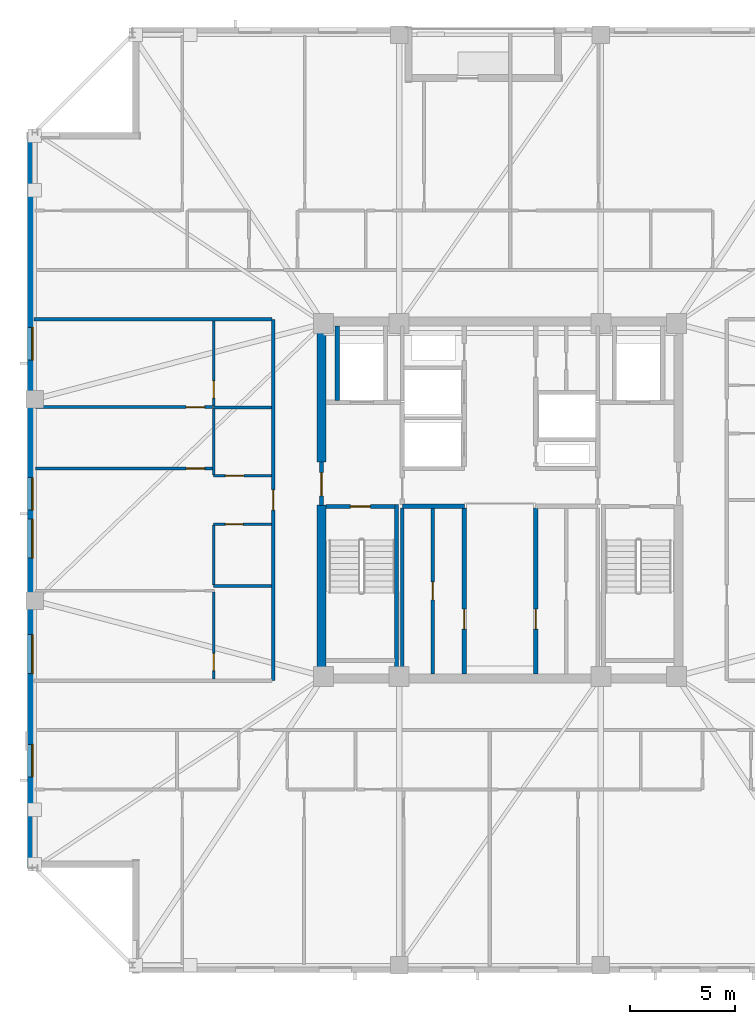
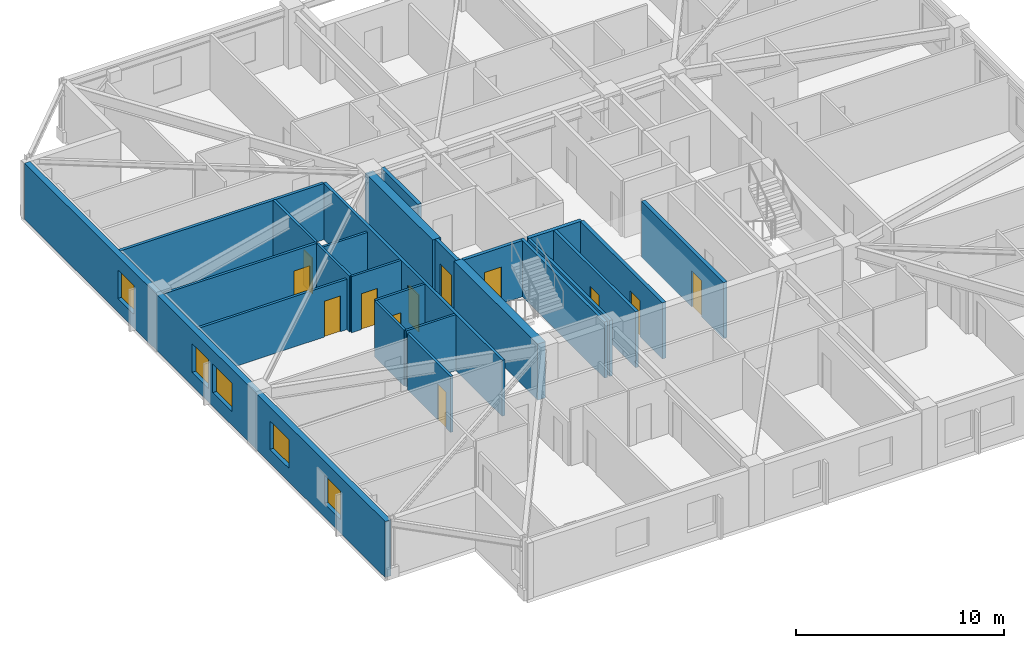
# One storey, part 8 of 17: 24 walls, 12 doors, 5 windows, 17 openings.
"""IFC4 building model written with IfcOpenShell, lengths in metres."""

import ifcopenshell
import ifcopenshell.guid

model = None  # the IFC model being written
_history = None  # IfcOwnerHistory: only IFC2X3 demands one
_inside = {}  # id of a spatial element -> (the spatial element, [elements in it])
_under = {}  # id of a project, library or spatial element -> (it, [spatial elements below it])
_declared = {}  # id of a project -> (the project, [libraries it declares])
_typed = {}  # id of a type object -> (the type object, [elements of that type])
_made_of = {}  # id of a material, layer set ... -> (it, [elements and type objects made of it])


def new_model(schema):
    """Start an empty IFC model of exactly this schema.

    Asked for "IFC4X3", IfcOpenShell would pick the latest addendum, in which some entities
    have other attributes; the version numbers below select the first issue.
    IFC2X3 requires an IfcOwnerHistory on every rooted entity: one is made here for all.
    """
    global model, _history
    if schema == "IFC4X3":
        model = ifcopenshell.file(schema_version=(4, 3, 0, 0))
    else:
        model = ifcopenshell.file(schema=schema)
    _inside.clear()
    _under.clear()
    _declared.clear()
    _typed.clear()
    _made_of.clear()
    _history = None
    if model.schema == "IFC2X3":
        org = make("IfcOrganization", Name="unknown")
        user = make(
            "IfcPersonAndOrganization",
            ThePerson=make("IfcPerson", FamilyName="unknown"),
            TheOrganization=org,
        )
        app = make(
            "IfcApplication",
            ApplicationDeveloper=org,
            Version="unknown",
            ApplicationFullName="unknown",
            ApplicationIdentifier="unknown",
        )
        _history = make(
            "IfcOwnerHistory",
            OwningUser=user,
            OwningApplication=app,
            ChangeAction="ADDED",
            CreationDate=0,
        )
    return model


def make(cls, **values):
    """One entity of the class cls with the attributes given. An attribute that is None is left unset."""
    return model.create_entity(
        cls, **{name: value for name, value in values.items() if value is not None}
    )


def rooted(cls, **values):
    """An entity with a GlobalId (a new one), such as an element, a storey or a relation."""
    return make(cls, GlobalId=ifcopenshell.guid.new(), OwnerHistory=_history, **values)


def si_unit(unit_type, name, prefix=None):
    """IfcSIUnit, for example si_unit("LENGTHUNIT", "METRE", prefix="MILLI")."""
    return make("IfcSIUnit", UnitType=unit_type, Prefix=prefix, Name=name)


def assignment(units):
    """IfcUnitAssignment: the units of a project."""
    return None if units is None else make("IfcUnitAssignment", Units=units)


def point(xyz):
    """IfcCartesianPoint."""
    return None if xyz is None else make("IfcCartesianPoint", Coordinates=xyz)


def direction(xyz):
    """IfcDirection."""
    return None if xyz is None else make("IfcDirection", DirectionRatios=xyz)


def frame(location, z_axis=None, x_axis=None):
    """IfcAxis2Placement3D, a coordinate frame: its origin and axes. An axis left out is left unset."""
    return make(
        "IfcAxis2Placement3D",
        Location=point(location),
        Axis=direction(z_axis),
        RefDirection=direction(x_axis),
    )


def frame_2d(location, x_axis=None):
    """IfcAxis2Placement2D, a coordinate frame in the plane: its origin and x axis."""
    return make(
        "IfcAxis2Placement2D", Location=point(location), RefDirection=direction(x_axis)
    )


def origin():
    """The frame at (0, 0, 0) with its axes left unset."""
    return frame((0.0, 0.0, 0.0))


def place(relative_to, where):
    """IfcLocalPlacement: puts the frame where relative to a parent placement (None: the world)."""
    return make(
        "IfcLocalPlacement", PlacementRelTo=relative_to, RelativePlacement=where
    )


def context(
    kind, dimensions, precision=None, world=None, true_north=None, identifier=None
):
    """IfcGeometricRepresentationContext, for example the 3D "Model" context."""
    return make(
        "IfcGeometricRepresentationContext",
        ContextIdentifier=identifier,
        ContextType=kind,
        CoordinateSpaceDimension=dimensions,
        Precision=precision,
        WorldCoordinateSystem=world,
        TrueNorth=true_north,
    )


def subcontext(parent, identifier, kind, view, scale=None):
    """IfcGeometricRepresentationSubContext, for example "Body" below "Model"."""
    return make(
        "IfcGeometricRepresentationSubContext",
        ContextIdentifier=identifier,
        ContextType=kind,
        ParentContext=parent,
        TargetScale=scale,
        TargetView=view,
    )


def project(units=None, contexts=None):
    """IfcProject with its units and contexts."""
    return rooted(
        "IfcProject",
        Name="project",
        RepresentationContexts=contexts,
        UnitsInContext=assignment(units),
    )


def spatial(cls, under=None, at=None, **own):
    """A site, building, storey or space (cls), placed at a placement, below another one or the project."""
    s = rooted(cls, ObjectPlacement=at, **own)
    if under is not None:
        _under.setdefault(under.id(), (under, []))[1].append(s)
    return s


def profile(cls, at=None, kind="AREA", **sizes):
    """A parametric profile (cls). Its sizes go by their IFC names, for example OverallWidth=200.0."""
    return make(cls, ProfileType=kind, Position=at, **sizes)


def rectangle(**sizes):
    """IfcRectangleProfileDef."""
    return profile("IfcRectangleProfileDef", **sizes)


def extrude(swept, where, along, depth):
    """IfcExtrudedAreaSolid: the profile swept, set in the frame where, extruded along a direction by depth."""
    return make(
        "IfcExtrudedAreaSolid",
        SweptArea=swept,
        Position=where,
        ExtrudedDirection=direction(along),
        Depth=depth,
    )


def shape(context_of_items, identifier, shape_type, items):
    """IfcShapeRepresentation: the items that make up one representation, for example the "Body"."""
    return make(
        "IfcShapeRepresentation",
        ContextOfItems=context_of_items,
        RepresentationIdentifier=identifier,
        RepresentationType=shape_type,
        Items=items,
    )


def material(Name=None, Category=None):
    """IfcMaterial."""
    return make("IfcMaterial", Name=Name, Category=Category)


def layer(
    of_material, thickness, ventilated=None, Name=None, Category=None, Priority=None
):
    """IfcMaterialLayer: one layer of a wall or slab, of a material (None: an air gap)."""
    return make(
        "IfcMaterialLayer",
        Material=of_material,
        LayerThickness=thickness,
        IsVentilated=ventilated,
        Name=Name,
        Category=Category,
        Priority=Priority,
    )


def layer_set(layers, Name=None):
    """IfcMaterialLayerSet."""
    return make("IfcMaterialLayerSet", MaterialLayers=layers, LayerSetName=Name)


def made_of(thing, what):
    """Note that an element or type object is made of a material, layer set ...; save() writes the relation."""
    if what is not None:
        _made_of.setdefault(what.id(), (what, []))[1].append(thing)
    return thing


def type_object(cls, material=None, **own):
    """A type object (cls), such as IfcWallType, which elements share."""
    return made_of(rooted(cls, **own), material)


def element(
    cls,
    number,
    at=None,
    inside=None,
    cuts=None,
    type_object=None,
    material=None,
    context=None,
    identifier="Body",
    shape_type=None,
    held_by="IfcProductDefinitionShape",
    body=None,
    shapes=None,
    **own,
):
    """One element of the class cls, such as IfcWall. Its Tag is "e" and its number.

    at: its placement. inside: the storey or other place that contains it. cuts: it is an
    opening in that element (IfcRelVoidsElement). A single representation is given by context,
    identifier, shape_type and body (its items); several are given by shapes. held_by: the class
    of the entity that holds the representations. save() writes the other relations.
    """
    e = rooted(cls, Tag="e%d" % number, ObjectPlacement=at, **own)
    if body is not None:
        shapes = [shape(context, identifier, shape_type, body)]
    if shapes is not None:
        e.Representation = make(held_by, Representations=shapes)
    if inside is not None:
        _inside.setdefault(inside.id(), (inside, []))[1].append(e)
    if cuts is not None:
        rooted(
            "IfcRelVoidsElement", RelatingBuildingElement=cuts, RelatedOpeningElement=e
        )
    if type_object is not None:
        _typed.setdefault(type_object.id(), (type_object, []))[1].append(e)
    return made_of(e, material)


def fill(opening, filler):
    """IfcRelFillsElement: the door or window that sits in an opening."""
    return rooted(
        "IfcRelFillsElement",
        RelatingOpeningElement=opening,
        RelatedBuildingElement=filler,
    )


def aggregate(whole, parts):
    """IfcRelAggregates: a whole, such as a stair, and the parts it consists of."""
    return rooted("IfcRelAggregates", RelatingObject=whole, RelatedObjects=parts)


def save(model, path):
    """Write the relations noted so far, then the file.

    IfcRelAggregates (storeys below a building ...), IfcRelContainedInSpatialStructure (elements
    in a storey), IfcRelDefinesByType, IfcRelAssociatesMaterial and IfcRelDeclares: one each for
    every whole, place, type object, material and project.
    """
    for whole, parts in _under.values():
        aggregate(whole, parts)
    for where, things in _inside.values():
        rooted(
            "IfcRelContainedInSpatialStructure",
            RelatedElements=things,
            RelatingStructure=where,
        )
    for kind, things in _typed.values():
        rooted("IfcRelDefinesByType", RelatedObjects=things, RelatingType=kind)
    for what, things in _made_of.values():
        rooted("IfcRelAssociatesMaterial", RelatedObjects=things, RelatingMaterial=what)
    for by, libraries in _declared.values():
        rooted("IfcRelDeclares", RelatingContext=by, RelatedDefinitions=libraries)
    model.write(path)


model = new_model("IFC4")

# Units and contexts
model_context = context("Model", 3, precision=1e-05, world=origin(), true_north=direction((0.0, 1.0)))
body_context = subcontext(model_context, "Body", "Model", "MODEL_VIEW")
ifc_project = project(units=[si_unit("LENGTHUNIT", "METRE"), si_unit("AREAUNIT", "SQUARE_METRE"), si_unit("VOLUMEUNIT", "CUBIC_METRE"), si_unit("PLANEANGLEUNIT", "RADIAN"), si_unit("MASSUNIT", "GRAM", prefix="KILO")], contexts=[model_context])

# Site, building, storey
site_placement = place(None, origin())
site = spatial("IfcSite", under=ifc_project, at=site_placement, CompositionType="ELEMENT")
building_placement = place(site_placement, origin())
building = spatial("IfcBuilding", under=site, at=building_placement, Name="Cairnveth Concourse Tower", CompositionType="ELEMENT")
storey_placement = place(building_placement, frame((0.0, 0.0, 206.0)))
storey = spatial("IfcBuildingStorey", under=building, at=storey_placement, Name="L56", CompositionType="ELEMENT", Elevation=206.0)

# Wall
ifc_material_1 = material(Name="Gypsum Plasterboard Partition", Category="gypsum")
ifc_layer_1 = layer(ifc_material_1, 0.159912109375)
ifc_layer_set_1 = layer_set([ifc_layer_1], Name="Gypsum Plasterboard Partition")
wall_type_1 = type_object("IfcWallType", Name="ACOUSTIC PARTY WALL 180", PredefinedType="PARTITIONING", material=ifc_layer_set_1)
wall_1_placement = place(storey_placement, frame((47.35009765625, 30.7099609375, 0.0), z_axis=(0.0, 0.0, 1.0), x_axis=(0.0, 1.0, 0.0)))
element("IfcWall", 1, at=wall_1_placement, inside=storey, type_object=wall_type_1, Name="Interior Wall IW-L56-025", PredefinedType="PARTITIONING", context=body_context, shape_type="SweptSolid", body=[
    extrude(rectangle(XDim=7.905029296875, YDim=0.159912109375, at=frame_2d((3.95263671875, 0.0))), origin(), (0.0, 0.0, 1.0), 3.2900390625),
])

# Wall, opening, door
wall_2_placement = place(storey_placement, frame((48.800048828125, 30.7099609375, 0.0), z_axis=(0.0, 0.0, 1.0), x_axis=(0.0, 1.0, 0.0)))
wall_2 = element("IfcWall", 2, at=wall_2_placement, inside=storey, type_object=wall_type_1, Name="Interior Wall IW-L56-026", PredefinedType="PARTITIONING", context=body_context, shape_type="SweptSolid", body=[
    extrude(rectangle(XDim=7.905029296875, YDim=0.159912109375, at=frame_2d((3.95263671875, 0.0))), origin(), (0.0, 0.0, 1.0), 3.2900390625),
])
opening_1_placement = place(wall_2_placement, frame((3.5400390625, 0.0, 0.0)))
opening_1 = element("IfcOpeningElement", 3, at=opening_1_placement, cuts=wall_2, Name="Opening ID19", PredefinedType="OPENING", context=body_context, shape_type="SweptSolid", body=[
    extrude(rectangle(XDim=0.85009765625, YDim=2.1201171875, at=frame_2d((0.425048828125, 1.06005859375))), frame((0.0, 0.08984375, 0.0), z_axis=(0.0, -1.0, 0.0), x_axis=(1.0, 0.0, 0.0)), (0.0, 0.0, 1.0), 0.179931640625),
])
ifc_material_2 = material(Name="Steel Grade 350", Category="steel")
door_type_1 = type_object("IfcDoorType", Name="CORE SERVICE DOOR 850X2100", OperationType="NOTDEFINED", PredefinedType="DOOR", material=ifc_material_2)
door_1_placement = place(opening_1_placement, origin())
door_1 = element("IfcDoor", 4, at=door_1_placement, inside=storey, type_object=door_type_1, Name="Inner Store Door L56", OperationType="SINGLE_SWING_RIGHT", OverallHeight=2.1201171875, OverallWidth=0.85009765625, PredefinedType="DOOR", context=body_context, shape_type="SweptSolid", body=[
    extrude(rectangle(XDim=0.85009765625, YDim=2.1201171875, at=frame_2d((0.425048828125, 1.06005859375))), frame((0.0, 0.02490234375, 0.0), z_axis=(0.0, -1.0, 0.0), x_axis=(1.0, 0.0, 0.0)), (0.0, 0.0, 1.0), 0.050048828125),
])
fill(opening_1, door_1)

wall_3_placement = place(storey_placement, frame((41.199951171875, 30.39990234375, 0.0), z_axis=(0.0, 0.0, 1.0), x_axis=(0.0, 1.0, 0.0)))
wall_3 = element("IfcWall", 5, at=wall_3_placement, inside=storey, type_object=wall_type_1, Name="Interior Wall IW-L56-038", PredefinedType="PARTITIONING", context=body_context, shape_type="SweptSolid", body=[
    extrude(rectangle(XDim=17.2001953125, YDim=0.159912109375, at=frame_2d((8.60009765625, 0.0))), origin(), (0.0, 0.0, 1.0), 3.2900390625),
])
opening_2_placement = place(wall_3_placement, frame((8.1201171875, 0.0, 0.0)))
opening_2 = element("IfcOpeningElement", 6, at=opening_2_placement, cuts=wall_3, Name="Opening ID10", PredefinedType="OPENING", context=body_context, shape_type="SweptSolid", body=[
    extrude(rectangle(XDim=0.9599609375, YDim=2.179931640625, at=frame_2d((0.47998046875, 1.08984375))), frame((0.0, 0.08984375, 0.0), z_axis=(0.0, -1.0, 0.0), x_axis=(1.0, 0.0, 0.0)), (0.0, 0.0, 1.0), 0.179931640625),
])
ifc_material_3 = material(Name="Solid Core Hardwood Timber Leaf", Category="wood")
door_type_2 = type_object("IfcDoorType", Name="FLAT ENTRANCE DOOR 960X2150", OperationType="NOTDEFINED", PredefinedType="DOOR", material=ifc_material_3)
door_2_placement = place(opening_2_placement, origin())
door_2 = element("IfcDoor", 7, at=door_2_placement, inside=storey, type_object=door_type_2, Name="Apartment L56W1 Entrance Door", OperationType="SINGLE_SWING_RIGHT", OverallHeight=2.179931640625, OverallWidth=0.9599609375, PredefinedType="DOOR", context=body_context, shape_type="SweptSolid", body=[
    extrude(rectangle(XDim=0.9599609375, YDim=2.179931640625, at=frame_2d((0.47998046875, 1.08984375))), frame((0.0, 0.02490234375, 0.0), z_axis=(0.0, -1.0, 0.0), x_axis=(1.0, 0.0, 0.0)), (0.0, 0.0, 1.0), 0.050048828125),
])
fill(opening_2, door_2)

# Walls
wall_4_placement = place(storey_placement, frame((29.804931640625, 47.60009765625, 0.0), z_axis=(0.0, 0.0, 1.0), x_axis=(1.0, 0.0, 0.0)))
element("IfcWall", 8, at=wall_4_placement, inside=storey, type_object=wall_type_1, Name="Interior Wall IW-L56-041", PredefinedType="PARTITIONING", context=body_context, shape_type="SweptSolid", body=[
    extrude(rectangle(XDim=11.330078125, YDim=0.159912109375, at=frame_2d((5.6650390625, 0.0))), origin(), (0.0, 0.0, 1.0), 3.2900390625),
])
ifc_material_4 = material(Name="Concrete N65 (65 MPa)", Category="concrete")
ifc_layer_2 = layer(ifc_material_4, 0.449951171875)
ifc_layer_set_2 = layer_set([ifc_layer_2], Name="Concrete N65 (65 MPa)")
wall_type_2 = type_object("IfcWallType", Name="CORE SHEAR WALL 450", PredefinedType="SHEAR", material=ifc_layer_set_2)
wall_5_placement = place(storey_placement, frame((43.5, 30.715087890625, 0.0), z_axis=(0.0, 0.0, 1.0), x_axis=(0.0, 1.0, 0.0)))
element("IfcWall", 9, at=wall_5_placement, inside=storey, type_object=wall_type_2, Name="Core West Shear Wall S L56", PredefinedType="SHEAR", context=body_context, shape_type="SweptSolid", body=[
    extrude(rectangle(XDim=8.034912109375, YDim=0.449951171875, at=frame_2d((4.017578125, 0.0))), origin(), (0.0, 0.0, 1.0), 3.2900390625),
])
wall_6_placement = place(storey_placement, frame((43.5, 40.800048828125, 0.0), z_axis=(0.0, 0.0, 1.0), x_axis=(0.0, 1.0, 0.0)))
element("IfcWall", 10, at=wall_6_placement, inside=storey, type_object=wall_type_2, Name="Core West Shear Wall N L56", PredefinedType="SHEAR", context=body_context, shape_type="SweptSolid", body=[
    extrude(rectangle(XDim=6.48486328125, YDim=0.449951171875, at=frame_2d((3.242431640625, 0.0))), origin(), (0.0, 0.0, 1.0), 3.2900390625),
])

# Wall, opening, door
ifc_material_5 = material(Name="Concrete N50 (50 MPa)", Category="concrete")
ifc_layer_3 = layer(ifc_material_5, 0.179931640625)
ifc_layer_set_3 = layer_set([ifc_layer_3], Name="Concrete N50 (50 MPa)")
wall_type_3 = type_object("IfcWallType", Name="FIRE SHAFT WALL 180", PredefinedType="SOLIDWALL", material=ifc_layer_set_3)
wall_7_placement = place(storey_placement, frame((43.715087890625, 38.68994140625, 0.0), z_axis=(0.0, 0.0, 1.0), x_axis=(1.0, 0.0, 0.0)))
wall_7 = element("IfcWall", 11, at=wall_7_placement, inside=storey, type_object=wall_type_3, Name="Stair ST-1 Shaft Wall NEAR L56", PredefinedType="SOLIDWALL", context=body_context, shape_type="SweptSolid", body=[
    extrude(rectangle(XDim=3.280029296875, YDim=0.179931640625, at=frame_2d((1.64013671875, 0.0))), origin(), (0.0, 0.0, 1.0), 3.2900390625),
])
opening_3_placement = place(wall_7_placement, frame((1.1650390625, 0.0, 0.0)))
opening_3 = element("IfcOpeningElement", 12, at=opening_3_placement, cuts=wall_7, Name="Opening ID12", PredefinedType="OPENING", context=body_context, shape_type="SweptSolid", body=[
    extrude(rectangle(XDim=0.949951171875, YDim=2.14990234375, at=frame_2d((0.47509765625, 1.074951171875))), frame((0.0, 0.099853515625, 0.0), z_axis=(0.0, -1.0, 0.0), x_axis=(1.0, 0.0, 0.0)), (0.0, 0.0, 1.0), 0.199951171875),
])
door_type_3 = type_object("IfcDoorType", Name="FIRE STAIR DOOR 950X2150", OperationType="NOTDEFINED", PredefinedType="DOOR", material=ifc_material_2)
door_3_placement = place(opening_3_placement, origin())
door_3 = element("IfcDoor", 13, at=door_3_placement, inside=storey, type_object=door_type_3, Name="Stair ST-1 Fire Door L56", OperationType="SINGLE_SWING_LEFT", OverallHeight=2.14990234375, OverallWidth=0.949951171875, PredefinedType="DOOR", context=body_context, shape_type="SweptSolid", body=[
    extrude(rectangle(XDim=0.949951171875, YDim=2.14990234375, at=frame_2d((0.47509765625, 1.074951171875))), frame((0.0, 0.02490234375, 0.0), z_axis=(0.0, -1.0, 0.0), x_axis=(1.0, 0.0, 0.0)), (0.0, 0.0, 1.0), 0.050048828125),
])
fill(opening_3, door_3)

# Walls
wall_8_placement = place(storey_placement, frame((47.070068359375, 38.780029296875, 0.0), z_axis=(0.0, 0.0, 1.0), x_axis=(0.0, -1.0, 0.0)))
element("IfcWall", 14, at=wall_8_placement, inside=storey, type_object=wall_type_3, Name="Stair ST-1 Shaft Wall RGHT L56", PredefinedType="SOLIDWALL", context=body_context, shape_type="SweptSolid", body=[
    extrude(rectangle(XDim=8.067138671875, YDim=0.179931640625, at=frame_2d((4.03369140625, 0.0))), origin(), (0.0, 0.0, 1.0), 3.2900390625),
])
ifc_layer_4 = layer(ifc_material_5, 0.199951171875)
ifc_layer_set_4 = layer_set([ifc_layer_4], Name="Concrete N50 (50 MPa)")
wall_type_4 = type_object("IfcWallType", Name="FIRE SHAFT WALL 200", PredefinedType="SOLIDWALL", material=ifc_layer_set_4)
wall_9_placement = place(storey_placement, frame((47.35009765625, 38.699951171875, 0.0), z_axis=(0.0, 0.0, 1.0), x_axis=(1.0, 0.0, 0.0)))
element("IfcWall", 15, at=wall_9_placement, inside=storey, type_object=wall_type_4, Name="Interior Wall IW-L56-007", PredefinedType="SOLIDWALL", context=body_context, shape_type="SweptSolid", body=[
    extrude(rectangle(XDim=2.949951171875, YDim=0.199951171875, at=frame_2d((1.47509765625, 0.0))), origin(), (0.0, 0.0, 1.0), 3.2900390625),
])

# Wall, opening, door
wall_10_placement = place(storey_placement, frame((50.300048828125, 30.7099609375, 0.0), z_axis=(0.0, 0.0, 1.0), x_axis=(0.0, 1.0, 0.0)))
wall_10 = element("IfcWall", 16, at=wall_10_placement, inside=storey, type_object=wall_type_4, Name="Interior Wall IW-L56-011", PredefinedType="SOLIDWALL", context=body_context, shape_type="SweptSolid", body=[
    extrude(rectangle(XDim=7.905029296875, YDim=0.199951171875, at=frame_2d((3.95263671875, 0.0))), origin(), (0.0, 0.0, 1.0), 3.2900390625),
])
opening_4_placement = place(wall_10_placement, frame((2.139892578125, 0.0, 0.0)))
opening_4 = element("IfcOpeningElement", 17, at=opening_4_placement, cuts=wall_10, Name="Opening ID25", PredefinedType="OPENING", context=body_context, shape_type="SweptSolid", body=[
    extrude(rectangle(XDim=0.949951171875, YDim=2.1201171875, at=frame_2d((0.47509765625, 1.06005859375))), frame((0.0, 0.10986328125, 0.0), z_axis=(0.0, -1.0, 0.0), x_axis=(1.0, 0.0, 0.0)), (0.0, 0.0, 1.0), 0.219970703125),
])
door_type_4 = type_object("IfcDoorType", Name="CORE ACCESSIBLE FIRE DOOR 950X2120", OperationType="NOTDEFINED", PredefinedType="DOOR", material=ifc_material_2)
door_4_placement = place(opening_4_placement, origin())
door_4 = element("IfcDoor", 18, at=door_4_placement, inside=storey, type_object=door_type_4, Name="Accessible WC Suite Door L56", OperationType="SINGLE_SWING_LEFT", OverallHeight=2.1201171875, OverallWidth=0.949951171875, PredefinedType="DOOR", context=body_context, shape_type="SweptSolid", body=[
    extrude(rectangle(XDim=0.949951171875, YDim=2.1201171875, at=frame_2d((0.47509765625, 1.06005859375))), frame((0.0, 0.02490234375, 0.0), z_axis=(0.0, -1.0, 0.0), x_axis=(1.0, 0.0, 0.0)), (0.0, 0.0, 1.0), 0.050048828125),
])
fill(opening_4, door_4)

wall_11_placement = place(storey_placement, frame((53.699951171875, 30.7099609375, 0.0), z_axis=(0.0, 0.0, 1.0), x_axis=(0.0, 1.0, 0.0)))
wall_11 = element("IfcWall", 19, at=wall_11_placement, inside=storey, type_object=wall_type_4, Name="Interior Wall IW-L56-012", PredefinedType="SOLIDWALL", context=body_context, shape_type="SweptSolid", body=[
    extrude(rectangle(XDim=7.905029296875, YDim=0.199951171875, at=frame_2d((3.95263671875, 0.0))), origin(), (0.0, 0.0, 1.0), 3.2900390625),
])
opening_5_placement = place(wall_11_placement, frame((2.139892578125, 0.0, 0.0)))
opening_5 = element("IfcOpeningElement", 20, at=opening_5_placement, cuts=wall_11, Name="Opening ID25", PredefinedType="OPENING", context=body_context, shape_type="SweptSolid", body=[
    extrude(rectangle(XDim=0.949951171875, YDim=2.1201171875, at=frame_2d((0.47509765625, 1.06005859375))), frame((0.0, 0.10986328125, 0.0), z_axis=(0.0, -1.0, 0.0), x_axis=(1.0, 0.0, 0.0)), (0.0, 0.0, 1.0), 0.219970703125),
])
door_5_placement = place(opening_5_placement, origin())
door_5 = element("IfcDoor", 21, at=door_5_placement, inside=storey, type_object=door_type_4, Name="Sky Restroom Door L56", OperationType="SINGLE_SWING_LEFT", OverallHeight=2.1201171875, OverallWidth=0.949951171875, PredefinedType="DOOR", context=body_context, shape_type="SweptSolid", body=[
    extrude(rectangle(XDim=0.949951171875, YDim=2.1201171875, at=frame_2d((0.47509765625, 1.06005859375))), frame((0.0, 0.02490234375, 0.0), z_axis=(0.0, -1.0, 0.0), x_axis=(1.0, 0.0, 0.0)), (0.0, 0.0, 1.0), 0.050048828125),
])
fill(opening_5, door_5)

wall_12_placement = place(storey_placement, frame((43.5, 38.75, 0.0), z_axis=(0.0, 0.0, 1.0), x_axis=(0.0, 1.0, 0.0)))
wall_12 = element("IfcWall", 22, at=wall_12_placement, inside=storey, type_object=wall_type_4, Name="Interior Wall IW-L56-015", PredefinedType="SOLIDWALL", context=body_context, shape_type="SweptSolid", body=[
    extrude(rectangle(XDim=2.050048828125, YDim=0.199951171875, at=frame_2d((1.02490234375, 0.0))), origin(), (0.0, 0.0, 1.0), 3.2900390625),
])
opening_6_placement = place(wall_12_placement, frame((0.449951171875, 0.0, 0.0)))
opening_6 = element("IfcOpeningElement", 23, at=opening_6_placement, cuts=wall_12, Name="Opening ID06", PredefinedType="OPENING", context=body_context, shape_type="SweptSolid", body=[
    extrude(rectangle(XDim=1.10009765625, YDim=2.14990234375, at=frame_2d((0.550048828125, 1.074951171875))), frame((0.0, 0.10986328125, 0.0), z_axis=(0.0, -1.0, 0.0), x_axis=(1.0, 0.0, 0.0)), (0.0, 0.0, 1.0), 0.219970703125),
])
door_type_5 = type_object("IfcDoorType", Name="FIRE CORRIDOR DOOR 1100X2150", OperationType="NOTDEFINED", PredefinedType="DOOR", material=ifc_material_2)
door_6_placement = place(opening_6_placement, origin())
door_6 = element("IfcDoor", 24, at=door_6_placement, inside=storey, type_object=door_type_5, Name="West Wing to FF Lobby Door L56", OperationType="SINGLE_SWING_LEFT", OverallHeight=2.14990234375, OverallWidth=1.10009765625, PredefinedType="DOOR", context=body_context, shape_type="SweptSolid", body=[
    extrude(rectangle(XDim=1.10009765625, YDim=2.14990234375, at=frame_2d((0.550048828125, 1.074951171875))), frame((0.0, 0.02490234375, 0.0), z_axis=(0.0, -1.0, 0.0), x_axis=(1.0, 0.0, 0.0)), (0.0, 0.0, 1.0), 0.050048828125),
])
fill(opening_6, door_6)

# Wall
wall_13_placement = place(storey_placement, frame((44.25, 43.735107421875, 0.0), z_axis=(0.0, 0.0, 1.0), x_axis=(0.0, 1.0, 0.0)))
element("IfcWall", 25, at=wall_13_placement, inside=storey, type_object=wall_type_4, Name="Interior Wall IW-L56-019", PredefinedType="SOLIDWALL", context=body_context, shape_type="SweptSolid", body=[
    extrude(rectangle(XDim=3.554931640625, YDim=0.199951171875, at=frame_2d((1.77734375, 0.0))), origin(), (0.0, 0.0, 1.0), 3.2900390625),
])

# Wall, opening, door
ifc_layer_5 = layer(ifc_material_1, 0.139892578125)
ifc_layer_set_5 = layer_set([ifc_layer_5], Name="Gypsum Plasterboard Partition")
wall_type_5 = type_object("IfcWallType", Name="GYPSUM STUD PARTITION 140", PredefinedType="PARTITIONING", material=ifc_layer_set_5)
wall_14_placement = place(storey_placement, frame((38.3701171875, 30.465087890625, 0.0), z_axis=(0.0, 0.0, 1.0), x_axis=(0.0, 1.0, 0.0)))
wall_14 = element("IfcWall", 26, at=wall_14_placement, inside=storey, type_object=wall_type_5, Name="Interior Wall IW-L56-097", PredefinedType="PARTITIONING", context=body_context, shape_type="SweptSolid", body=[
    extrude(rectangle(XDim=4.159912109375, YDim=0.139892578125, at=frame_2d((2.080078125, 0.0))), origin(), (0.0, 0.0, 1.0), 3.2900390625),
])
opening_7_placement = place(wall_14_placement, frame((0.4150390625, 0.0, 0.0)))
opening_7 = element("IfcOpeningElement", 27, at=opening_7_placement, cuts=wall_14, Name="Opening ID22", PredefinedType="OPENING", context=body_context, shape_type="SweptSolid", body=[
    extrude(rectangle(XDim=0.820068359375, YDim=2.10009765625, at=frame_2d((0.41015625, 1.050048828125))), frame((0.0, 0.079833984375, 0.0), z_axis=(0.0, -1.0, 0.0), x_axis=(1.0, 0.0, 0.0)), (0.0, 0.0, 1.0), 0.159912109375),
])
door_type_6 = type_object("IfcDoorType", Name="INTERIOR WC DOOR 820X2100", OperationType="NOTDEFINED", PredefinedType="DOOR", material=ifc_material_3)
door_7_placement = place(opening_7_placement, origin())
door_7 = element("IfcDoor", 28, at=door_7_placement, inside=storey, type_object=door_type_6, Name="L56W1 Dressing Door", OperationType="SINGLE_SWING_LEFT", OverallHeight=2.10009765625, OverallWidth=0.820068359375, PredefinedType="DOOR", context=body_context, shape_type="SweptSolid", body=[
    extrude(rectangle(XDim=0.820068359375, YDim=2.10009765625, at=frame_2d((0.41015625, 1.050048828125))), frame((0.0, 0.02490234375, 0.0), z_axis=(0.0, -1.0, 0.0), x_axis=(1.0, 0.0, 0.0)), (0.0, 0.0, 1.0), 0.050048828125),
])
fill(opening_7, door_7)

wall_15_placement = place(storey_placement, frame((29.8798828125, 43.419921875, 0.0), z_axis=(0.0, 0.0, 1.0), x_axis=(1.0, 0.0, 0.0)))
wall_15 = element("IfcWall", 29, at=wall_15_placement, inside=storey, type_object=wall_type_5, Name="Interior Wall IW-L56-098", PredefinedType="PARTITIONING", context=body_context, shape_type="SweptSolid", body=[
    extrude(rectangle(XDim=8.440185546875, YDim=0.139892578125, at=frame_2d((4.22021484375, 0.0))), origin(), (0.0, 0.0, 1.0), 3.2900390625),
])
opening_8_placement = place(wall_15_placement, frame((7.179931640625, 0.0, 0.0)))
opening_8 = element("IfcOpeningElement", 30, at=opening_8_placement, cuts=wall_15, Name="Opening ID18", PredefinedType="OPENING", context=body_context, shape_type="SweptSolid", body=[
    extrude(rectangle(XDim=0.8798828125, YDim=2.10009765625, at=frame_2d((0.43994140625, 1.050048828125))), frame((0.0, 0.079833984375, 0.0), z_axis=(0.0, -1.0, 0.0), x_axis=(1.0, 0.0, 0.0)), (0.0, 0.0, 1.0), 0.159912109375),
])
door_type_7 = type_object("IfcDoorType", Name="INTERIOR SINGLE DOOR 880X2100", OperationType="NOTDEFINED", PredefinedType="DOOR", material=ifc_material_3)
door_8_placement = place(opening_8_placement, origin())
door_8 = element("IfcDoor", 31, at=door_8_placement, inside=storey, type_object=door_type_7, Name="L56W1 Bedroom 2 Door", OperationType="SINGLE_SWING_RIGHT", OverallHeight=2.10009765625, OverallWidth=0.8798828125, PredefinedType="DOOR", context=body_context, shape_type="SweptSolid", body=[
    extrude(rectangle(XDim=0.8798828125, YDim=2.10009765625, at=frame_2d((0.43994140625, 1.050048828125))), frame((0.0, 0.02490234375, 0.0), z_axis=(0.0, -1.0, 0.0), x_axis=(1.0, 0.0, 0.0)), (0.0, 0.0, 1.0), 0.050048828125),
])
fill(opening_8, door_8)

wall_16_placement = place(storey_placement, frame((38.3701171875, 43.47509765625, 0.0), z_axis=(0.0, 0.0, 1.0), x_axis=(0.0, 1.0, 0.0)))
wall_16 = element("IfcWall", 32, at=wall_16_placement, inside=storey, type_object=wall_type_5, Name="Interior Wall IW-L56-099", PredefinedType="PARTITIONING", context=body_context, shape_type="SweptSolid", body=[
    extrude(rectangle(XDim=4.059814453125, YDim=0.139892578125, at=frame_2d((2.02978515625, 0.0))), origin(), (0.0, 0.0, 1.0), 3.2900390625),
])
opening_9_placement = place(wall_16_placement, frame((0.375, 0.0, 0.0)))
opening_9 = element("IfcOpeningElement", 33, at=opening_9_placement, cuts=wall_16, Name="Opening ID22", PredefinedType="OPENING", context=body_context, shape_type="SweptSolid", body=[
    extrude(rectangle(XDim=0.820068359375, YDim=2.10009765625, at=frame_2d((0.41015625, 1.050048828125))), frame((0.0, 0.079833984375, 0.0), z_axis=(0.0, -1.0, 0.0), x_axis=(1.0, 0.0, 0.0)), (0.0, 0.0, 1.0), 0.159912109375),
])
door_9_placement = place(opening_9_placement, origin())
door_9 = element("IfcDoor", 34, at=door_9_placement, inside=storey, type_object=door_type_6, Name="L56W1 Utility Door", OperationType="SINGLE_SWING_LEFT", OverallHeight=2.10009765625, OverallWidth=0.820068359375, PredefinedType="DOOR", context=body_context, shape_type="SweptSolid", body=[
    extrude(rectangle(XDim=0.820068359375, YDim=2.10009765625, at=frame_2d((0.41015625, 1.050048828125))), frame((0.0, 0.02490234375, 0.0), z_axis=(0.0, -1.0, 0.0), x_axis=(1.0, 0.0, 0.0)), (0.0, 0.0, 1.0), 0.050048828125),
])
fill(opening_9, door_9)

wall_17_placement = place(storey_placement, frame((29.8798828125, 40.5, 0.0), z_axis=(0.0, 0.0, 1.0), x_axis=(1.0, 0.0, 0.0)))
wall_17 = element("IfcWall", 35, at=wall_17_placement, inside=storey, type_object=wall_type_5, Name="Interior Wall IW-L56-100", PredefinedType="PARTITIONING", context=body_context, shape_type="SweptSolid", body=[
    extrude(rectangle(XDim=8.440185546875, YDim=0.139892578125, at=frame_2d((4.22021484375, 0.0))), origin(), (0.0, 0.0, 1.0), 2.9580078125),
])
opening_10_placement = place(wall_17_placement, frame((7.179931640625, 0.0, 0.0)))
opening_10 = element("IfcOpeningElement", 36, at=opening_10_placement, cuts=wall_17, Name="Opening ID18", PredefinedType="OPENING", context=body_context, shape_type="SweptSolid", body=[
    extrude(rectangle(XDim=0.8798828125, YDim=2.10009765625, at=frame_2d((0.43994140625, 1.050048828125))), frame((0.0, 0.079833984375, 0.0), z_axis=(0.0, -1.0, 0.0), x_axis=(1.0, 0.0, 0.0)), (0.0, 0.0, 1.0), 0.159912109375),
])
door_10_placement = place(opening_10_placement, origin())
door_10 = element("IfcDoor", 37, at=door_10_placement, inside=storey, type_object=door_type_7, Name="L56W1 Media Lounge Door", OperationType="SINGLE_SWING_LEFT", OverallHeight=2.10009765625, OverallWidth=0.8798828125, PredefinedType="DOOR", context=body_context, shape_type="SweptSolid", body=[
    extrude(rectangle(XDim=0.8798828125, YDim=2.10009765625, at=frame_2d((0.43994140625, 1.050048828125))), frame((0.0, 0.02490234375, 0.0), z_axis=(0.0, -1.0, 0.0), x_axis=(1.0, 0.0, 0.0)), (0.0, 0.0, 1.0), 0.050048828125),
])
fill(opening_10, door_10)

# Wall
ifc_layer_6 = layer(ifc_material_1, 0.1298828125)
ifc_layer_set_6 = layer_set([ifc_layer_6], Name="Gypsum Plasterboard Partition")
wall_type_6 = type_object("IfcWallType", Name="WET AREA PARTITION 140", PredefinedType="PLUMBINGWALL", material=ifc_layer_set_6)
wall_18_placement = place(storey_placement, frame((38.3701171875, 34.89990234375, 0.0), z_axis=(0.0, 0.0, 1.0), x_axis=(1.0, 0.0, 0.0)))
element("IfcWall", 38, at=wall_18_placement, inside=storey, type_object=wall_type_6, Name="Interior Wall IW-L56-090", PredefinedType="PLUMBINGWALL", context=body_context, shape_type="SweptSolid", body=[
    extrude(rectangle(XDim=2.75, YDim=0.1298828125, at=frame_2d((1.375, 0.0))), origin(), (0.0, 0.0, 1.0), 3.2900390625),
])

# Wall, opening, door
wall_19_placement = place(storey_placement, frame((38.3701171875, 37.85009765625, 0.0), z_axis=(0.0, 0.0, 1.0), x_axis=(1.0, 0.0, 0.0)))
wall_19 = element("IfcWall", 39, at=wall_19_placement, inside=storey, type_object=wall_type_6, Name="Interior Wall IW-L56-091", PredefinedType="PLUMBINGWALL", context=body_context, shape_type="SweptSolid", body=[
    extrude(rectangle(XDim=2.75, YDim=0.1298828125, at=frame_2d((1.375, 0.0))), origin(), (0.0, 0.0, 1.0), 3.2900390625),
])
opening_11_placement = place(wall_19_placement, frame((0.550048828125, 0.0, 0.0)))
opening_11 = element("IfcOpeningElement", 40, at=opening_11_placement, cuts=wall_19, Name="Opening ID21", PredefinedType="OPENING", context=body_context, shape_type="SweptSolid", body=[
    extrude(rectangle(XDim=0.85009765625, YDim=2.080078125, at=frame_2d((0.425048828125, 1.0400390625))), frame((0.0, 0.074951171875, 0.0), z_axis=(0.0, -1.0, 0.0), x_axis=(1.0, 0.0, 0.0)), (0.0, 0.0, 1.0), 0.14990234375),
])
door_type_8 = type_object("IfcDoorType", Name="INTERIOR WC DOOR 850X2100", OperationType="NOTDEFINED", PredefinedType="DOOR", material=ifc_material_3)
door_11_placement = place(opening_11_placement, origin())
door_11 = element("IfcDoor", 41, at=door_11_placement, inside=storey, type_object=door_type_8, Name="L56W1 Bathroom Door", OperationType="SINGLE_SWING_LEFT", OverallHeight=2.080078125, OverallWidth=0.85009765625, PredefinedType="DOOR", context=body_context, shape_type="SweptSolid", body=[
    extrude(rectangle(XDim=0.85009765625, YDim=2.080078125, at=frame_2d((0.425048828125, 1.0400390625))), frame((0.0, 0.02490234375, 0.0), z_axis=(0.0, -1.0, 0.0), x_axis=(1.0, 0.0, 0.0)), (0.0, 0.0, 1.0), 0.050048828125),
])
fill(opening_11, door_11)

# Walls
wall_20_placement = place(storey_placement, frame((38.3701171875, 34.949951171875, 0.0), z_axis=(0.0, 0.0, 1.0), x_axis=(0.0, 1.0, 0.0)))
element("IfcWall", 42, at=wall_20_placement, inside=storey, type_object=wall_type_6, Name="Interior Wall IW-L56-092", PredefinedType="PLUMBINGWALL", context=body_context, shape_type="SweptSolid", body=[
    extrude(rectangle(XDim=2.85009765625, YDim=0.1298828125, at=frame_2d((1.425048828125, 0.0))), origin(), (0.0, 0.0, 1.0), 3.2900390625),
])
wall_21_placement = place(storey_placement, frame((38.3701171875, 43.39990234375, 0.0), z_axis=(0.0, 0.0, 1.0), x_axis=(1.0, 0.0, 0.0)))
element("IfcWall", 43, at=wall_21_placement, inside=storey, type_object=wall_type_6, Name="Interior Wall IW-L56-093", PredefinedType="PLUMBINGWALL", context=body_context, shape_type="SweptSolid", body=[
    extrude(rectangle(XDim=2.75, YDim=0.1298828125, at=frame_2d((1.375, 0.0))), origin(), (0.0, 0.0, 1.0), 2.9580078125),
])

# Wall, opening, door
wall_22_placement = place(storey_placement, frame((38.3701171875, 40.14990234375, 0.0), z_axis=(0.0, 0.0, 1.0), x_axis=(1.0, 0.0, 0.0)))
wall_22 = element("IfcWall", 44, at=wall_22_placement, inside=storey, type_object=wall_type_6, Name="Interior Wall IW-L56-094", PredefinedType="PLUMBINGWALL", context=body_context, shape_type="SweptSolid", body=[
    extrude(rectangle(XDim=2.75, YDim=0.1298828125, at=frame_2d((1.375, 0.0))), origin(), (0.0, 0.0, 1.0), 3.2900390625),
])
opening_12_placement = place(wall_22_placement, frame((0.550048828125, 0.0, 0.0)))
opening_12 = element("IfcOpeningElement", 45, at=opening_12_placement, cuts=wall_22, Name="Opening ID18", PredefinedType="OPENING", context=body_context, shape_type="SweptSolid", body=[
    extrude(rectangle(XDim=0.8798828125, YDim=2.10009765625, at=frame_2d((0.43994140625, 1.050048828125))), frame((0.0, 0.074951171875, 0.0), z_axis=(0.0, -1.0, 0.0), x_axis=(1.0, 0.0, 0.0)), (0.0, 0.0, 1.0), 0.14990234375),
])
door_12_placement = place(opening_12_placement, origin())
door_12 = element("IfcDoor", 46, at=door_12_placement, inside=storey, type_object=door_type_7, Name="L56W1 Kitchen Door", OperationType="SINGLE_SWING_RIGHT", OverallHeight=2.10009765625, OverallWidth=0.8798828125, PredefinedType="DOOR", context=body_context, shape_type="SweptSolid", body=[
    extrude(rectangle(XDim=0.8798828125, YDim=2.10009765625, at=frame_2d((0.43994140625, 1.050048828125))), frame((0.0, 0.02490234375, 0.0), z_axis=(0.0, -1.0, 0.0), x_axis=(1.0, 0.0, 0.0)), (0.0, 0.0, 1.0), 0.050048828125),
])
fill(opening_12, door_12)

# Wall
wall_23_placement = place(storey_placement, frame((38.3701171875, 40.199951171875, 0.0), z_axis=(0.0, 0.0, 1.0), x_axis=(0.0, 1.0, 0.0)))
element("IfcWall", 47, at=wall_23_placement, inside=storey, type_object=wall_type_6, Name="Interior Wall IW-L56-095", PredefinedType="PLUMBINGWALL", context=body_context, shape_type="SweptSolid", body=[
    extrude(rectangle(XDim=3.150146484375, YDim=0.1298828125, at=frame_2d((1.5751953125, 0.0))), origin(), (0.0, 0.0, 1.0), 3.2900390625),
])

# Wall, openings, windows
ifc_material_6 = material(Name="Melbourne Buff Fired Clay Brick Masonry", Category="masonry")
ifc_layer_7 = layer(ifc_material_6, 0.320068359375)
ifc_layer_set_7 = layer_set([ifc_layer_7], Name="Melbourne Buff Fired Clay Brick Masonry")
wall_type_7 = type_object("IfcWallType", Name="ZONE 3 BRICK PIER SPANDREL WALL 320", PredefinedType="SOLIDWALL", material=ifc_layer_set_7)
wall_24_placement = place(storey_placement, frame((29.659912109375, 21.5, 0.0), z_axis=(0.0, 0.0, 1.0), x_axis=(0.0, 1.0, 0.0)))
wall_24 = element("IfcWall", 48, at=wall_24_placement, inside=storey, type_object=wall_type_7, Name="Exterior Wall EW-L56-S09", PredefinedType="SOLIDWALL", context=body_context, shape_type="SweptSolid", body=[
    extrude(rectangle(XDim=34.701904296875, YDim=0.320068359375, at=frame_2d((17.35107421875, 0.0))), origin(), (0.0, 0.0, 1.0), 3.2900390625),
])
opening_13_placement = place(wall_24_placement, frame((4.3125, 0.0, 0.800048828125)))
opening_13 = element("IfcOpeningElement", 49, at=opening_13_placement, cuts=wall_24, Name="Opening W07", PredefinedType="OPENING", context=body_context, shape_type="SweptSolid", body=[
    extrude(rectangle(XDim=1.550048828125, YDim=1.677978515625, at=frame_2d((0.77490234375, 0.8388671875))), frame((0.0, 0.169921875, 0.0), z_axis=(0.0, -1.0, 0.0), x_axis=(1.0, 0.0, 0.0)), (0.0, 0.0, 1.0), 0.340087890625),
])
opening_14_placement = place(wall_24_placement, frame((9.23779296875, 0.0, 0.800048828125)))
opening_14 = element("IfcOpeningElement", 50, at=opening_14_placement, cuts=wall_24, Name="Opening W08", PredefinedType="OPENING", context=body_context, shape_type="SweptSolid", body=[
    extrude(rectangle(XDim=1.85009765625, YDim=1.677978515625, at=frame_2d((0.925048828125, 0.8388671875))), frame((0.0, 0.169921875, 0.0), z_axis=(0.0, -1.0, 0.0), x_axis=(1.0, 0.0, 0.0)), (0.0, 0.0, 1.0), 0.340087890625),
])
opening_15_placement = place(wall_24_placement, frame((14.73828125, 0.0, 0.800048828125)))
opening_15 = element("IfcOpeningElement", 51, at=opening_15_placement, cuts=wall_24, Name="Opening W08", PredefinedType="OPENING", context=body_context, shape_type="SweptSolid", body=[
    extrude(rectangle(XDim=1.85009765625, YDim=1.677978515625, at=frame_2d((0.925048828125, 0.8388671875))), frame((0.0, 0.169921875, 0.0), z_axis=(0.0, -1.0, 0.0), x_axis=(1.0, 0.0, 0.0)), (0.0, 0.0, 1.0), 0.340087890625),
])
opening_16_placement = place(wall_24_placement, frame((17.013671875, 0.0, 0.800048828125)))
opening_16 = element("IfcOpeningElement", 52, at=opening_16_placement, cuts=wall_24, Name="Opening W07", PredefinedType="OPENING", context=body_context, shape_type="SweptSolid", body=[
    extrude(rectangle(XDim=1.550048828125, YDim=1.677978515625, at=frame_2d((0.77490234375, 0.8388671875))), frame((0.0, 0.169921875, 0.0), z_axis=(0.0, -1.0, 0.0), x_axis=(1.0, 0.0, 0.0)), (0.0, 0.0, 1.0), 0.340087890625),
])
opening_17_placement = place(wall_24_placement, frame((24.1640625, 0.0, 0.800048828125)))
opening_17 = element("IfcOpeningElement", 53, at=opening_17_placement, cuts=wall_24, Name="Opening W07", PredefinedType="OPENING", context=body_context, shape_type="SweptSolid", body=[
    extrude(rectangle(XDim=1.550048828125, YDim=1.677978515625, at=frame_2d((0.77490234375, 0.8388671875))), frame((0.0, 0.169921875, 0.0), z_axis=(0.0, -1.0, 0.0), x_axis=(1.0, 0.0, 0.0)), (0.0, 0.0, 1.0), 0.340087890625),
])
ifc_material_7 = material(Name="Double Glazed Low-E Clear Glass", Category="glass")
window_type_1 = type_object("IfcWindowType", Name="DEEP-SET APARTMENT LIVING WINDOW 1850X1850", PartitioningType="DOUBLE_PANEL_VERTICAL", PredefinedType="WINDOW", material=ifc_material_7)
window_1_placement = place(opening_14_placement, origin())
window_1 = element("IfcWindow", 54, at=window_1_placement, inside=storey, type_object=window_type_1, Name="Gothic Lancet Window L56-9-2", OverallHeight=1.677978515625, OverallWidth=1.85009765625, PartitioningType="SINGLE_PANEL", PredefinedType="WINDOW", context=body_context, shape_type="SweptSolid", body=[
    extrude(rectangle(XDim=1.85009765625, YDim=1.677978515625, at=frame_2d((0.925048828125, 0.8388671875))), frame((0.0, -0.050048828125, 0.0), z_axis=(0.0, -1.0, 0.0), x_axis=(1.0, 0.0, 0.0)), (0.0, 0.0, 1.0), 0.06005859375),
])
fill(opening_14, window_1)
window_2_placement = place(opening_15_placement, origin())
window_2 = element("IfcWindow", 55, at=window_2_placement, inside=storey, type_object=window_type_1, Name="Gothic Lancet Window L56-9-4", OverallHeight=1.677978515625, OverallWidth=1.85009765625, PartitioningType="SINGLE_PANEL", PredefinedType="WINDOW", context=body_context, shape_type="SweptSolid", body=[
    extrude(rectangle(XDim=1.85009765625, YDim=1.677978515625, at=frame_2d((0.925048828125, 0.8388671875))), frame((0.0, -0.050048828125, 0.0), z_axis=(0.0, -1.0, 0.0), x_axis=(1.0, 0.0, 0.0)), (0.0, 0.0, 1.0), 0.06005859375),
])
fill(opening_15, window_2)
window_type_2 = type_object("IfcWindowType", Name="DEEP-SET APARTMENT WINDOW 1550X1800", PartitioningType="DOUBLE_PANEL_VERTICAL", PredefinedType="WINDOW", material=ifc_material_7)
window_3_placement = place(opening_13_placement, origin())
window_3 = element("IfcWindow", 56, at=window_3_placement, inside=storey, type_object=window_type_2, Name="Gothic Lancet Window L56-9-1", OverallHeight=1.677978515625, OverallWidth=1.550048828125, PartitioningType="SINGLE_PANEL", PredefinedType="WINDOW", context=body_context, shape_type="SweptSolid", body=[
    extrude(rectangle(XDim=1.550048828125, YDim=1.677978515625, at=frame_2d((0.77490234375, 0.8388671875))), frame((0.0, -0.050048828125, 0.0), z_axis=(0.0, -1.0, 0.0), x_axis=(1.0, 0.0, 0.0)), (0.0, 0.0, 1.0), 0.06005859375),
])
fill(opening_13, window_3)
window_4_placement = place(opening_16_placement, origin())
window_4 = element("IfcWindow", 57, at=window_4_placement, inside=storey, type_object=window_type_2, Name="Gothic Lancet Window L56-9-5", OverallHeight=1.677978515625, OverallWidth=1.550048828125, PartitioningType="SINGLE_PANEL", PredefinedType="WINDOW", context=body_context, shape_type="SweptSolid", body=[
    extrude(rectangle(XDim=1.550048828125, YDim=1.677978515625, at=frame_2d((0.77490234375, 0.8388671875))), frame((0.0, -0.050048828125, 0.0), z_axis=(0.0, -1.0, 0.0), x_axis=(1.0, 0.0, 0.0)), (0.0, 0.0, 1.0), 0.06005859375),
])
fill(opening_16, window_4)
window_5_placement = place(opening_17_placement, origin())
window_5 = element("IfcWindow", 58, at=window_5_placement, inside=storey, type_object=window_type_2, Name="Gothic Lancet Window L56-9-7", OverallHeight=1.677978515625, OverallWidth=1.550048828125, PartitioningType="SINGLE_PANEL", PredefinedType="WINDOW", context=body_context, shape_type="SweptSolid", body=[
    extrude(rectangle(XDim=1.550048828125, YDim=1.677978515625, at=frame_2d((0.77490234375, 0.8388671875))), frame((0.0, -0.050048828125, 0.0), z_axis=(0.0, -1.0, 0.0), x_axis=(1.0, 0.0, 0.0)), (0.0, 0.0, 1.0), 0.06005859375),
])
fill(opening_17, window_5)

save(model, "model.ifc")
